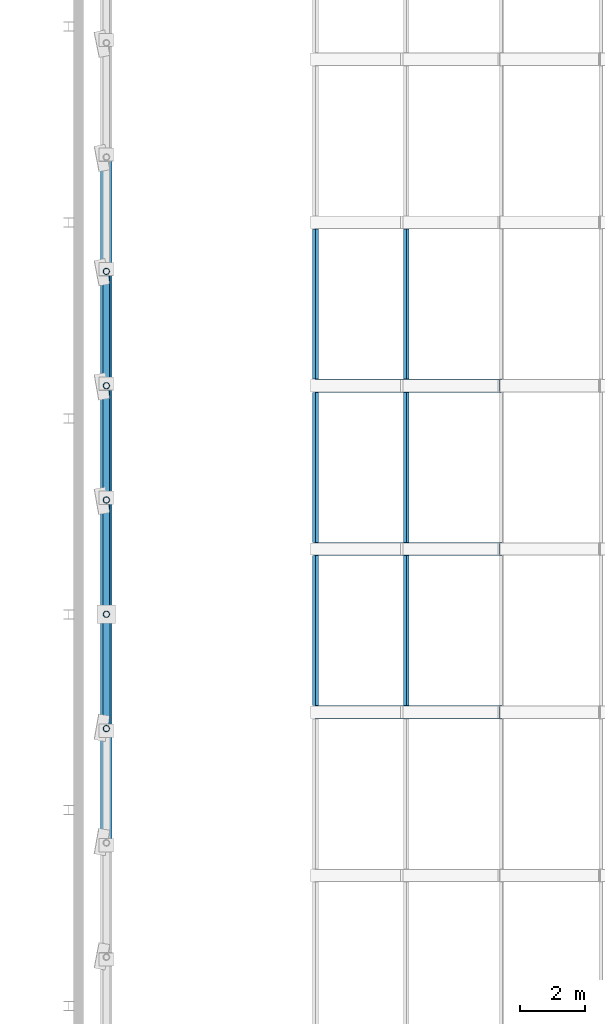
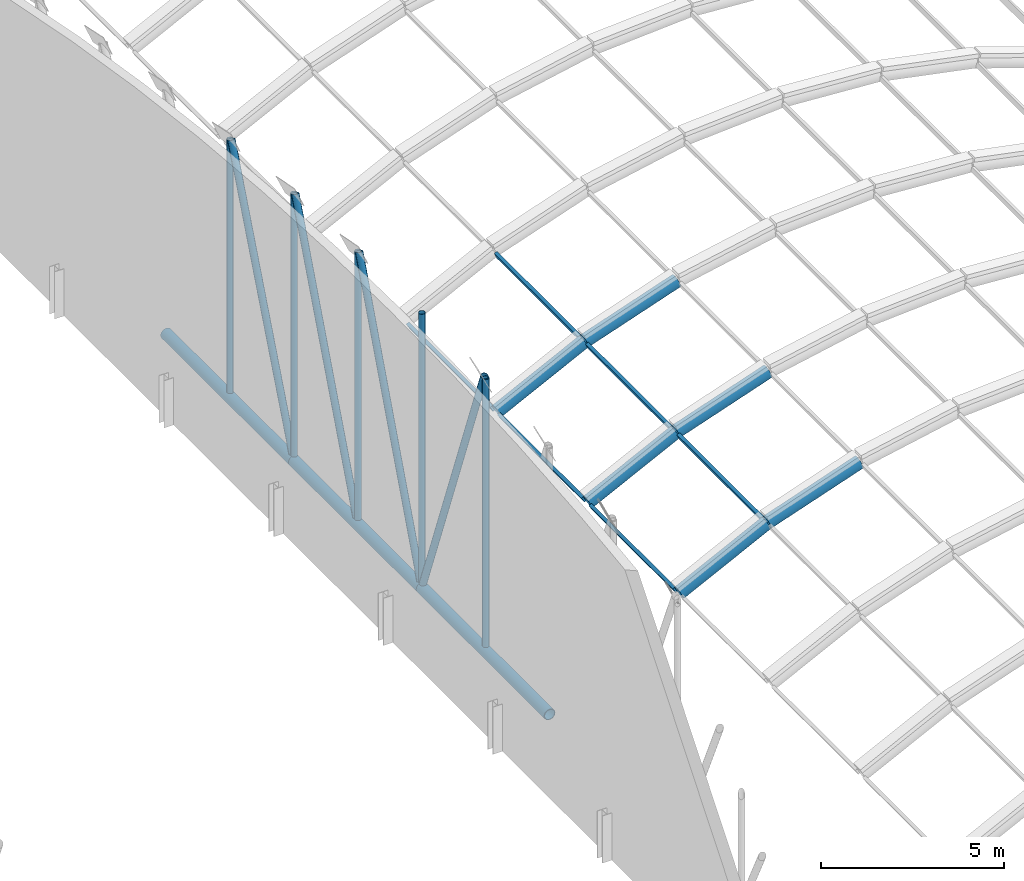
# One storey, part 85 of 196: 24 members.
"""IFC4 building model written with IfcOpenShell, lengths in metres."""

from ifc_helpers import new_model, si_unit, direction, frame, origin, origin_2d, place, context, subcontext, project, spatial, hollow_rectangle, hollow_circle, extrude, material, material_profile, profile_set, type_object, element, save


model = new_model("IFC4")

# Units and contexts
model_context = context("Model", 3, precision=1e-05, world=origin(), true_north=direction((0.0, 1.0)))
body_context = subcontext(model_context, "Body", "Model", "MODEL_VIEW")
ifc_project = project(units=[si_unit("LENGTHUNIT", "METRE"), si_unit("AREAUNIT", "SQUARE_METRE"), si_unit("VOLUMEUNIT", "CUBIC_METRE"), si_unit("PLANEANGLEUNIT", "RADIAN"), si_unit("MASSUNIT", "GRAM", prefix="KILO")], contexts=[model_context])

# Site, building, storey
site_placement = place(None, origin())
site = spatial("IfcSite", under=ifc_project, at=site_placement, CompositionType="ELEMENT")
building_placement = place(site_placement, origin())
building = spatial("IfcBuilding", under=site, at=building_placement, Name="Okhra Congress Centre", CompositionType="ELEMENT")
storey_placement = place(building_placement, frame((0.0, 0.0, 12.0)))
storey = spatial("IfcBuildingStorey", under=building, at=storey_placement, Name="L02", CompositionType="ELEMENT", Elevation=12.0)

# Members
ifc_material_1 = material(Name="Steel S355J2H", Category="steel")
ifc_material_profile_1 = material_profile(ifc_material_1, hollow_circle(Radius=0.096923828125, WallThickness=0.008056640625, at=origin_2d()), Name="CHS 193.7x8.0")
ifc_profile_set_1 = profile_set([ifc_material_profile_1], Name="Steel S355J2H")
member_type_1 = type_object("IfcMemberType", Name="CHS 193.7x8.0", PredefinedType="POST", material=ifc_profile_set_1)
member_1_placement = place(storey_placement, frame((154.0, 170.5, 1.577880859375), z_axis=(0.0, 0.0, 1.0), x_axis=(1.0, 0.0, 0.0)))
element("IfcMember", 1, at=member_1_placement, inside=storey, type_object=member_type_1, Name="EH.MEM.L02.T8-VER-11", PredefinedType="POST", context=body_context, shape_type="SweptSolid", body=[
    extrude(hollow_circle(Radius=0.096923828125, WallThickness=0.008056640625, at=origin_2d()), origin(), (0.0, 0.0, 1.0), 8.95654296875),
])
member_2_placement = place(storey_placement, frame((154.0, 174.0, 1.577880859375), z_axis=(0.0, 0.0, 1.0), x_axis=(1.0, 0.0, 0.0)))
element("IfcMember", 2, at=member_2_placement, inside=storey, type_object=member_type_1, Name="EH.MEM.L02.T8-VER-12", PredefinedType="POST", context=body_context, shape_type="SweptSolid", body=[
    extrude(hollow_circle(Radius=0.096923828125, WallThickness=0.008056640625, at=origin_2d()), origin(), (0.0, 0.0, 1.0), 9.018798828125),
])
member_3_placement = place(storey_placement, frame((154.0, 177.5, 1.577880859375), z_axis=(0.0, 0.0, 1.0), x_axis=(1.0, 0.0, 0.0)))
element("IfcMember", 3, at=member_3_placement, inside=storey, type_object=member_type_1, Name="EH.MEM.L02.T8-VER-13", PredefinedType="POST", context=body_context, shape_type="SweptSolid", body=[
    extrude(hollow_circle(Radius=0.096923828125, WallThickness=0.008056640625, at=origin_2d()), origin(), (0.0, 0.0, 1.0), 8.95654296875),
])
member_4_placement = place(storey_placement, frame((154.0, 181.0, 1.577880859375), z_axis=(0.0, 0.0, 1.0), x_axis=(1.0, 0.0, 0.0)))
element("IfcMember", 4, at=member_4_placement, inside=storey, type_object=member_type_1, Name="EH.MEM.L02.T8-VER-14", PredefinedType="POST", context=body_context, shape_type="SweptSolid", body=[
    extrude(hollow_circle(Radius=0.096923828125, WallThickness=0.008056640625, at=origin_2d()), origin(), (0.0, 0.0, 1.0), 8.76953125),
])
member_5_placement = place(storey_placement, frame((154.0, 184.5, 1.577880859375), z_axis=(0.0, 0.0, 1.0), x_axis=(1.0, 0.0, 0.0)))
element("IfcMember", 5, at=member_5_placement, inside=storey, type_object=member_type_1, Name="EH.MEM.L02.T8-VER-15", PredefinedType="POST", context=body_context, shape_type="SweptSolid", body=[
    extrude(hollow_circle(Radius=0.096923828125, WallThickness=0.008056640625, at=origin_2d()), origin(), (0.0, 0.0, 1.0), 8.456787109375),
])
ifc_material_profile_2 = material_profile(ifc_material_1, hollow_circle(Radius=0.109619140625, WallThickness=0.010009765625, at=origin_2d()), Name="CHS 219.1x10.0")
ifc_profile_set_2 = profile_set([ifc_material_profile_2], Name="Steel S355J2H")
member_type_2 = type_object("IfcMemberType", Name="CHS 219.1x10.0", PredefinedType="BRACE", material=ifc_profile_set_2)
for number, where, z_axis, x_axis, name in (
    (6, (154.0, 170.568359375, 10.55517578125), (0.0, 0.35098669327, -0.936380446799), (-1.0, 0.0, 0.0), "EH.MEM.L02.T8-DIA-11"),
    (7, (154.0, 177.431640625, 10.55517578125), (0.0, -0.35098669327, -0.936380446799), (1.0, 0.0, 0.0), "EH.MEM.L02.T8-DIA-12"),
):
    element("IfcMember", number, at=place(storey_placement, frame(where, z_axis=z_axis, x_axis=x_axis)), inside=storey, type_object=member_type_2, Name=name, PredefinedType="BRACE", context=body_context, shape_type="SweptSolid", body=[
        extrude(hollow_circle(Radius=0.109619140625, WallThickness=0.010009765625, at=origin_2d()), origin(), (0.0, 0.0, 1.0), 9.587158203125),
    ])
member_6_placement = place(storey_placement, frame((154.0, 180.930908203125, 10.37060546875), z_axis=(0.0, -0.357217988255, -0.934021043054), x_axis=(1.0, 0.0, 0.0)))
element("IfcMember", 8, at=member_6_placement, inside=storey, type_object=member_type_2, Name="EH.MEM.L02.T8-DIA-13", PredefinedType="BRACE", context=body_context, shape_type="SweptSolid", body=[
    extrude(hollow_circle(Radius=0.109619140625, WallThickness=0.010009765625, at=origin_2d()), origin(), (0.0, 0.0, 1.0), 9.413818359375),
])
member_7_placement = place(storey_placement, frame((154.0, 184.429443359375, 10.060546875), z_axis=(0.0, -0.368181952794, -0.929753757528), x_axis=(1.0, 0.0, 0.0)))
element("IfcMember", 9, at=member_7_placement, inside=storey, type_object=member_type_2, Name="EH.MEM.L02.T8-DIA-14", PredefinedType="BRACE", context=body_context, shape_type="SweptSolid", body=[
    extrude(hollow_circle(Radius=0.109619140625, WallThickness=0.010009765625, at=origin_2d()), origin(), (0.0, 0.0, 1.0), 9.12353515625),
])
ifc_material_profile_3 = material_profile(ifc_material_1, hollow_circle(Radius=0.177734375, WallThickness=0.02001953125, at=origin_2d()), Name="CHS 355.6x20.0")
ifc_profile_set_3 = profile_set([ifc_material_profile_3], Name="Steel S355J2H")
member_type_3 = type_object("IfcMemberType", Name="CHS 355.6x20.0", PredefinedType="CHORD", material=ifc_profile_set_3)
for number, where, z_axis, x_axis, name in (
    (10, (154.0, 167.0, 1.39990234375), (0.0, 1.0, 0.0), (-1.0, 0.0, 0.0), "EH.MEM.L02.T8-BOT-06"),
    (11, (154.0, 174.0, 1.39990234375), (0.0, 1.0, 0.0), (-1.0, 0.0, 0.0), "EH.MEM.L02.T8-BOT-07"),
    (12, (154.0, 181.0, 1.39990234375), (0.0, 1.0, 0.0), (-1.0, 0.0, 0.0), "EH.MEM.L02.T8-BOT-08"),
):
    element("IfcMember", number, at=place(storey_placement, frame(where, z_axis=z_axis, x_axis=x_axis)), inside=storey, type_object=member_type_3, Name=name, PredefinedType="CHORD", context=body_context, shape_type="SweptSolid", body=[
        extrude(hollow_circle(Radius=0.177734375, WallThickness=0.02001953125, at=origin_2d()), origin(), (0.0, 0.0, 1.0), 7.0),
    ])
ifc_material_2 = material(Name="Steel S355J2", Category="steel")
ifc_material_profile_4 = material_profile(ifc_material_2, hollow_rectangle(XDim=0.10009765625, YDim=0.199951171875, WallThickness=0.008056640625, at=origin_2d()), Name="RHS 200x100x8")
ifc_profile_set_4 = profile_set([ifc_material_profile_4], Name="Steel S355J2")
member_type_4 = type_object("IfcMemberType", Name="Steel purlin RHS 200x100x8", PredefinedType="PURLIN", material=ifc_profile_set_4)
for number, where, z_axis, x_axis, name in (
    (13, (160.406982421875, 171.203125, 0.77490234375), (0.0, 1.0, 0.0), (-0.86391685861, 0.0, -0.503634452167), "Vault purlin 20.2"),
    (14, (163.1826171875, 171.203125, 2.156494140625), (0.0, 1.0, 0.0), (-0.922668973833, 0.0, -0.38559300399), "Vault purlin 20.3"),
    (15, (160.406982421875, 176.203125, 0.77490234375), (0.0, 1.0, 0.0), (-0.86391685861, 0.0, -0.503634452167), "Vault purlin 21.2"),
    (16, (163.1826171875, 176.203125, 2.156494140625), (0.0, 1.0, 0.0), (-0.922668973833, 0.0, -0.38559300399), "Vault purlin 21.3"),
    (17, (160.406982421875, 181.203125, 0.77490234375), (0.0, 1.0, 0.0), (-0.86391685861, 0.0, -0.503634452167), "Vault purlin 22.2"),
    (18, (163.1826171875, 181.203125, 2.156494140625), (0.0, 1.0, 0.0), (-0.922668973833, 0.0, -0.38559300399), "Vault purlin 22.3"),
):
    element("IfcMember", number, at=place(storey_placement, frame(where, z_axis=z_axis, x_axis=x_axis)), inside=storey, type_object=member_type_4, Name=name, PredefinedType="PURLIN", context=body_context, shape_type="SweptSolid", body=[
        extrude(hollow_rectangle(XDim=0.10009765625, YDim=0.199951171875, WallThickness=0.008056640625, at=origin_2d()), origin(), (0.0, 0.0, 1.0), 4.59375),
    ])
ifc_material_profile_5 = material_profile(ifc_material_2, hollow_circle(Radius=0.203125, WallThickness=0.01611328125, at=origin_2d()), Name="CHS 406.4x16")
ifc_profile_set_5 = profile_set([ifc_material_profile_5], Name="Steel S355J2")
member_type_5 = type_object("IfcMemberType", Name="Tubular steel arch rib CHS 406x16", PredefinedType="USERDEFINED", material=ifc_profile_set_5)
for number, where, z_axis, x_axis, name in (
    (19, (160.406494140625, 171.0, 0.802490234375), (0.895219276519, 0.0, 0.44562590471), (0.0, 1.0, 0.0), "Arch rib 20.3"),
    (20, (163.185791015625, 171.0, 2.18408203125), (0.946089135599, 0.0, 0.323906386942), (0.0, 1.0, 0.0), "Arch rib 20.4"),
    (21, (160.406494140625, 176.0, 0.802490234375), (0.895219276519, 0.0, 0.44562590471), (0.0, 1.0, 0.0), "Arch rib 21.3"),
    (22, (163.185791015625, 176.0, 2.18408203125), (0.946089135599, 0.0, 0.323906386942), (0.0, 1.0, 0.0), "Arch rib 21.4"),
    (23, (160.406494140625, 181.0, 0.802490234375), (0.895219276519, 0.0, 0.44562590471), (0.0, 1.0, 0.0), "Arch rib 22.3"),
    (24, (163.185791015625, 181.0, 2.18408203125), (0.946089135599, 0.0, 0.323906386942), (0.0, 1.0, 0.0), "Arch rib 22.4"),
):
    element("IfcMember", number, at=place(storey_placement, frame(where, z_axis=z_axis, x_axis=x_axis)), inside=storey, type_object=member_type_5, Name=name, ObjectType="Arch rib", PredefinedType="USERDEFINED", context=body_context, shape_type="SweptSolid", body=[
        extrude(hollow_circle(Radius=0.203125, WallThickness=0.01611328125, at=origin_2d()), origin(), (0.0, 0.0, 1.0), 3.07666015625),
    ])

save(model, "model.ifc")
